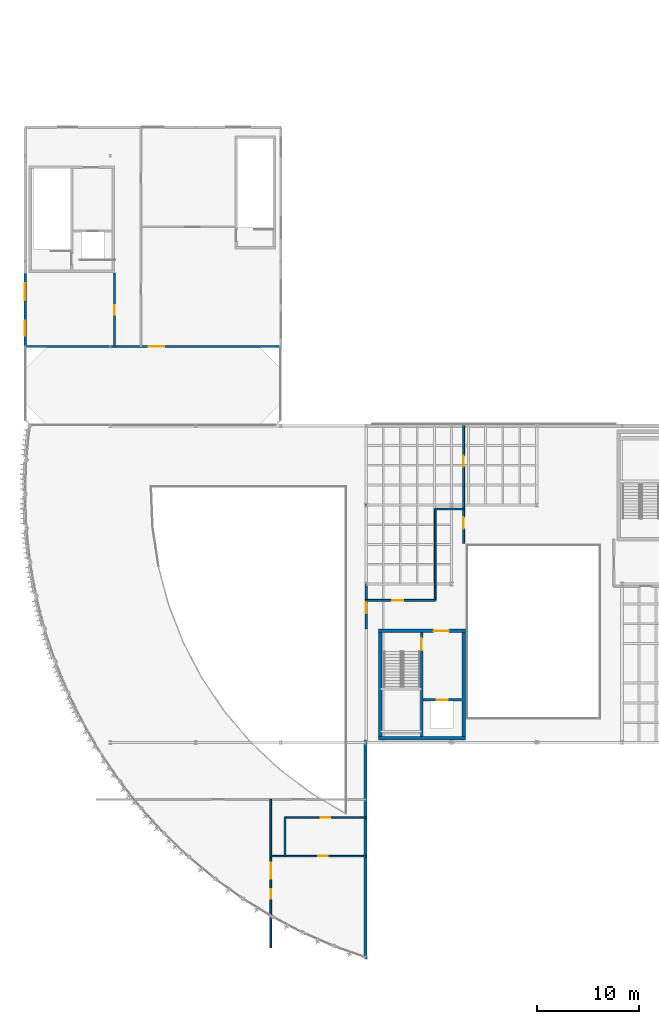
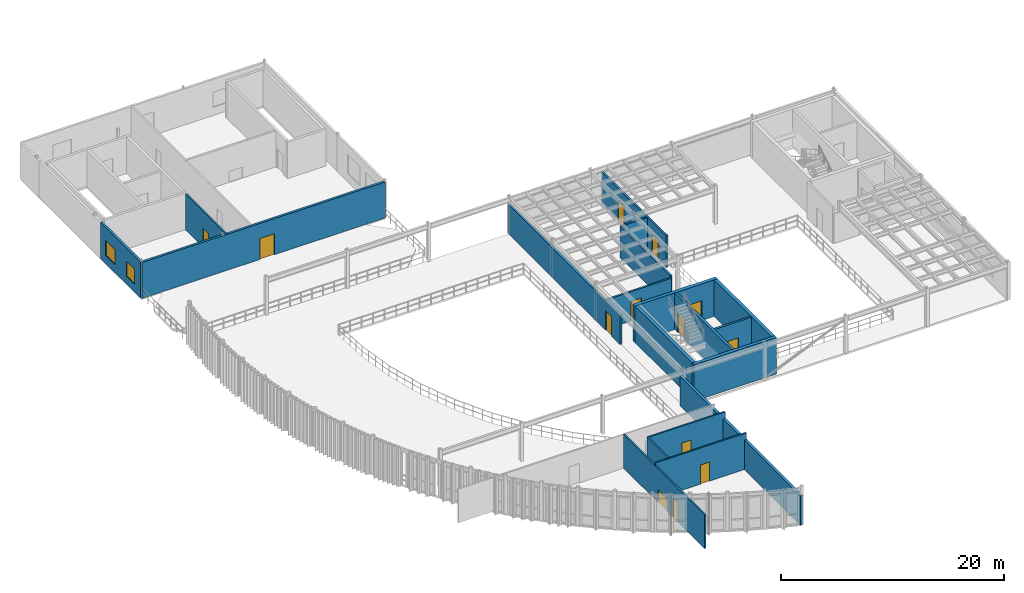
# One storey, part 21 of 32: 19 walls, 13 doors, 2 windows, 15 openings.
"""IFC4 building model written with IfcOpenShell, lengths in metres."""

from ifc_helpers import new_model, si_unit, direction, frame, frame_2d, origin, place, context, subcontext, project, spatial, rectangle, extrude, material, layer, layer_set, type_object, element, fill, save


model = new_model("IFC4")

# Units and contexts
model_context = context("Model", 3, precision=1e-05, world=origin(), true_north=direction((0.0, 1.0)))
body_context = subcontext(model_context, "Body", "Model", "MODEL_VIEW")
ifc_project = project(units=[si_unit("LENGTHUNIT", "METRE"), si_unit("AREAUNIT", "SQUARE_METRE"), si_unit("VOLUMEUNIT", "CUBIC_METRE"), si_unit("PLANEANGLEUNIT", "RADIAN"), si_unit("MASSUNIT", "GRAM", prefix="KILO")], contexts=[model_context])

# Site, building, storey
site_placement = place(None, origin())
site = spatial("IfcSite", under=ifc_project, at=site_placement, CompositionType="ELEMENT")
building_placement = place(site_placement, origin())
building = spatial("IfcBuilding", under=site, at=building_placement, Name="Selat Folded Stagehouse", CompositionType="ELEMENT")
storey_placement = place(building_placement, frame((0.0, 0.0, 19.199951171875)))
storey = spatial("IfcBuildingStorey", under=building, at=storey_placement, Name="L04", CompositionType="ELEMENT", Elevation=19.199951171875)

# Wall, opening, door
ifc_material_1 = material(Name="Concrete C40/50", Category="concrete")
ifc_layer_1 = layer(ifc_material_1, 0.179931640625)
ifc_layer_set_1 = layer_set([ifc_layer_1], Name="Concrete C40/50")
wall_type_1 = type_object("IfcWallType", Name="WAL-COMP-180", PredefinedType="STANDARD", material=ifc_layer_set_1)
wall_1_placement = place(storey_placement, frame((33.60009765625, 37.39990234375, 0.0), z_axis=(0.0, 0.0, 1.0), x_axis=(1.0, 0.0, 0.0)))
wall_1 = element("IfcWall", 1, at=wall_1_placement, inside=storey, type_object=wall_type_1, Name="L04 interior partition wall 112", PredefinedType="STANDARD", context=body_context, shape_type="SweptSolid", body=[
    extrude(rectangle(XDim=6.7998046875, YDim=0.179931640625, at=frame_2d((3.39990234375, 0.0))), origin(), (0.0, 0.0, 1.0), 3.22216796875),
])
opening_1_placement = place(wall_1_placement, frame((2.56494140625, 0.0, 0.0)))
opening_1 = element("IfcOpeningElement", 2, at=opening_1_placement, cuts=wall_1, Name="Opening FD-60", PredefinedType="OPENING", context=body_context, shape_type="SweptSolid", body=[
    extrude(rectangle(XDim=1.10009765625, YDim=2.14990234375, at=frame_2d((0.550048828125, 1.074951171875))), frame((0.0, 0.099853515625, 0.0), z_axis=(0.0, -1.0, 0.0), x_axis=(1.0, 0.0, 0.0)), (0.0, 0.0, 1.0), 0.199951171875),
])
ifc_material_2 = material(Name="Fire-rated timber core door", Category="wood")
door_type_1 = type_object("IfcDoorType", Name="DOR-FIRE-60", OperationType="NOTDEFINED", PredefinedType="DOOR", material=ifc_material_2)
door_1_placement = place(opening_1_placement, origin())
door_1 = element("IfcDoor", 3, at=door_1_placement, inside=storey, type_object=door_type_1, Name="L04 interior door IWAL-L04-112-1", OperationType="SINGLE_SWING_LEFT", OverallHeight=2.14990234375, OverallWidth=1.10009765625, PredefinedType="DOOR", context=body_context, shape_type="SweptSolid", body=[
    extrude(rectangle(XDim=1.10009765625, YDim=2.14990234375, at=frame_2d((0.550048828125, 1.074951171875))), frame((0.0, 0.02490234375, 0.0), z_axis=(0.0, -1.0, 0.0), x_axis=(1.0, 0.0, 0.0)), (0.0, 0.0, 1.0), 0.050048828125),
])
fill(opening_1, door_1)

# Walls
wall_2_placement = place(storey_placement, frame((40.39990234375, 37.39990234375, 0.0), z_axis=(0.0, 0.0, 1.0), x_axis=(0.0, 1.0, 0.0)))
element("IfcWall", 4, at=wall_2_placement, inside=storey, type_object=wall_type_1, Name="L04 interior partition wall 113", PredefinedType="STANDARD", context=body_context, shape_type="SweptSolid", body=[
    extrude(rectangle(XDim=9.0, YDim=0.179931640625, at=frame_2d((4.5, 0.0))), origin(), (0.0, 0.0, 1.0), 3.458984375),
])
wall_3_placement = place(storey_placement, frame((40.39990234375, 46.39990234375, 0.0), z_axis=(0.0, 0.0, 1.0), x_axis=(1.0, 0.0, 0.0)))
element("IfcWall", 5, at=wall_3_placement, inside=storey, type_object=wall_type_1, Name="L04 interior partition wall 114", PredefinedType="STANDARD", context=body_context, shape_type="SweptSolid", body=[
    extrude(rectangle(XDim=2.800048828125, YDim=0.179931640625, at=frame_2d((1.39990234375, 0.0))), origin(), (0.0, 0.0, 1.0), 3.45263671875),
])

# Wall, openings, doors
wall_4_placement = place(storey_placement, frame((43.199951171875, 43.0, 0.0), z_axis=(0.0, 0.0, 1.0), x_axis=(0.0, 1.0, 0.0)))
wall_4 = element("IfcWall", 6, at=wall_4_placement, inside=storey, type_object=wall_type_1, Name="L04 interior partition wall 115", PredefinedType="STANDARD", context=body_context, shape_type="SweptSolid", body=[
    extrude(rectangle(XDim=11.60009765625, YDim=0.179931640625, at=frame_2d((5.800048828125, 0.0))), origin(), (0.0, 0.0, 1.0), 3.458984375),
])
opening_2_placement = place(wall_4_placement, frame((1.469970703125, 0.0, 0.0)))
opening_2 = element("IfcOpeningElement", 7, at=opening_2_placement, cuts=wall_4, Name="Opening FD-60", PredefinedType="OPENING", context=body_context, shape_type="SweptSolid", body=[
    extrude(rectangle(XDim=1.10009765625, YDim=2.14990234375, at=frame_2d((0.550048828125, 1.074951171875))), frame((0.0, 0.099853515625, 0.0), z_axis=(0.0, -1.0, 0.0), x_axis=(1.0, 0.0, 0.0)), (0.0, 0.0, 1.0), 0.199951171875),
])
opening_3_placement = place(wall_4_placement, frame((7.56005859375, 0.0, 0.0)))
opening_3 = element("IfcOpeningElement", 8, at=opening_3_placement, cuts=wall_4, Name="Opening FD-60", PredefinedType="OPENING", context=body_context, shape_type="SweptSolid", body=[
    extrude(rectangle(XDim=1.10009765625, YDim=2.14990234375, at=frame_2d((0.550048828125, 1.074951171875))), frame((0.0, 0.099853515625, 0.0), z_axis=(0.0, -1.0, 0.0), x_axis=(1.0, 0.0, 0.0)), (0.0, 0.0, 1.0), 0.199951171875),
])
door_2_placement = place(opening_2_placement, origin())
door_2 = element("IfcDoor", 9, at=door_2_placement, inside=storey, type_object=door_type_1, Name="L04 interior door IWAL-L04-115-1", OperationType="SINGLE_SWING_RIGHT", OverallHeight=2.14990234375, OverallWidth=1.10009765625, PredefinedType="DOOR", context=body_context, shape_type="SweptSolid", body=[
    extrude(rectangle(XDim=1.10009765625, YDim=2.14990234375, at=frame_2d((0.550048828125, 1.074951171875))), frame((0.0, 0.02490234375, 0.0), z_axis=(0.0, -1.0, 0.0), x_axis=(1.0, 0.0, 0.0)), (0.0, 0.0, 1.0), 0.050048828125),
])
fill(opening_2, door_2)
door_3_placement = place(opening_3_placement, origin())
door_3 = element("IfcDoor", 10, at=door_3_placement, inside=storey, type_object=door_type_1, Name="L04 interior door IWAL-L04-115-2", OperationType="SINGLE_SWING_LEFT", OverallHeight=2.14990234375, OverallWidth=1.10009765625, PredefinedType="DOOR", context=body_context, shape_type="SweptSolid", body=[
    extrude(rectangle(XDim=1.10009765625, YDim=2.14990234375, at=frame_2d((0.550048828125, 1.074951171875))), frame((0.0, 0.02490234375, 0.0), z_axis=(0.0, -1.0, 0.0), x_axis=(1.0, 0.0, 0.0)), (0.0, 0.0, 1.0), 0.050048828125),
])
fill(opening_3, door_3)

# Wall, opening, door
ifc_layer_2 = layer(ifc_material_1, 0.215087890625)
ifc_layer_set_2 = layer_set([ifc_layer_2], Name="Concrete C40/50")
wall_type_2 = type_object("IfcWallType", Name="WAL-COMP-215", PredefinedType="STANDARD", material=ifc_layer_set_2)
wall_5_placement = place(storey_placement, frame((39.2099609375, 27.60009765625, 0.0), z_axis=(0.0, 0.0, 1.0), x_axis=(1.0, 0.0, 0.0)))
wall_5 = element("IfcWall", 11, at=wall_5_placement, inside=storey, type_object=wall_type_2, Name="L04 FL-01 lift shaft front wall", PredefinedType="STANDARD", context=body_context, shape_type="SweptSolid", body=[
    extrude(rectangle(XDim=3.794921875, YDim=0.215087890625, at=frame_2d((1.8974609375, 0.0))), origin(), (0.0, 0.0, 1.0), 3.991943359375),
])
opening_4_placement = place(wall_5_placement, frame((1.347412109375, 0.0, 0.0)))
opening_4 = element("IfcOpeningElement", 12, at=opening_4_placement, cuts=wall_5, Name="Opening LD-01", PredefinedType="OPENING", context=body_context, shape_type="SweptSolid", body=[
    extrude(rectangle(XDim=1.10009765625, YDim=2.199951171875, at=frame_2d((0.550048828125, 1.10009765625))), frame((0.0, 0.117431640625, 0.0), z_axis=(0.0, -1.0, 0.0), x_axis=(1.0, 0.0, 0.0)), (0.0, 0.0, 1.0), 0.235107421875),
])
ifc_material_3 = material(Name="Firefighting lift stainless sliding landing door", Category="wood")
door_type_2 = type_object("IfcDoorType", Name="DOR-LFT-1100", OperationType="NOTDEFINED", PredefinedType="DOOR", material=ifc_material_3)
door_4_placement = place(opening_4_placement, origin())
door_4 = element("IfcDoor", 13, at=door_4_placement, inside=storey, type_object=door_type_2, Name="L04 FL-01 lift sliding landing door", OperationType="SLIDING_TO_LEFT", OverallHeight=2.199951171875, OverallWidth=1.10009765625, PredefinedType="DOOR", context=body_context, shape_type="SweptSolid", body=[
    extrude(rectangle(XDim=1.10009765625, YDim=2.199951171875, at=frame_2d((0.550048828125, 1.10009765625))), frame((0.0, 0.02490234375, 0.0), z_axis=(0.0, -1.0, 0.0), x_axis=(1.0, 0.0, 0.0)), (0.0, 0.0, 1.0), 0.050048828125),
])
fill(opening_4, door_4)

wall_6_placement = place(storey_placement, frame((33.60009765625, 34.60009765625, 0.0), z_axis=(0.0, 0.0, 1.0), x_axis=(0.0, 1.0, 0.0)))
wall_6 = element("IfcWall", 14, at=wall_6_placement, inside=storey, type_object=wall_type_2, Name="L04 interior partition wall 111", PredefinedType="STANDARD", context=body_context, shape_type="SweptSolid", body=[
    extrude(rectangle(XDim=20.0, YDim=0.215087890625, at=frame_2d((10.0, 0.0))), origin(), (0.0, 0.0, 1.0), 3.22216796875),
])
opening_5_placement = place(wall_6_placement, frame((1.511962890625, 0.0, 0.0)))
opening_5 = element("IfcOpeningElement", 15, at=opening_5_placement, cuts=wall_6, Name="Opening FD-60", PredefinedType="OPENING", context=body_context, shape_type="SweptSolid", body=[
    extrude(rectangle(XDim=1.10009765625, YDim=2.14990234375, at=frame_2d((0.550048828125, 1.074951171875))), frame((0.0, 0.117431640625, 0.0), z_axis=(0.0, -1.0, 0.0), x_axis=(1.0, 0.0, 0.0)), (0.0, 0.0, 1.0), 0.235107421875),
])
door_5_placement = place(opening_5_placement, origin())
door_5 = element("IfcDoor", 16, at=door_5_placement, inside=storey, type_object=door_type_1, Name="L04 interior door IWAL-L04-111-1", OperationType="SINGLE_SWING_RIGHT", OverallHeight=2.14990234375, OverallWidth=1.10009765625, PredefinedType="DOOR", context=body_context, shape_type="SweptSolid", body=[
    extrude(rectangle(XDim=1.10009765625, YDim=2.14990234375, at=frame_2d((0.550048828125, 1.074951171875))), frame((0.0, 0.02490234375, 0.0), z_axis=(0.0, -1.0, 0.0), x_axis=(1.0, 0.0, 0.0)), (0.0, 0.0, 1.0), 0.050048828125),
])
fill(opening_5, door_5)

ifc_material_4 = material(Name="Concrete C50/60", Category="concrete")
ifc_layer_3 = layer(ifc_material_4, 0.25)
ifc_layer_set_3 = layer_set([ifc_layer_3], Name="Concrete C50/60")
wall_type_3 = type_object("IfcWallType", Name="WAL-CORE-250", PredefinedType="SHEAR", material=ifc_layer_set_3)
wall_7_placement = place(storey_placement, frame((39.050048828125, 34.22509765625, 0.0), z_axis=(0.0, 0.0, 1.0), x_axis=(0.0, -1.0, 0.0)))
wall_7 = element("IfcWall", 17, at=wall_7_placement, inside=storey, type_object=wall_type_3, Name="L04 CR-1 internal core divider wall", PredefinedType="SHEAR", context=body_context, shape_type="SweptSolid", body=[
    extrude(rectangle(XDim=10.25, YDim=0.25, at=frame_2d((5.125, 0.0))), origin(), (0.0, 0.0, 1.0), 4.0),
])
opening_6_placement = place(wall_7_placement, frame((0.550048828125, 0.0, 0.0)))
opening_6 = element("IfcOpeningElement", 18, at=opening_6_placement, cuts=wall_7, Name="Opening FD-120", PredefinedType="OPENING", context=body_context, shape_type="SweptSolid", body=[
    extrude(rectangle(XDim=1.199951171875, YDim=2.14990234375, at=frame_2d((0.60009765625, 1.074951171875))), frame((0.0, 0.135009765625, 0.0), z_axis=(0.0, -1.0, 0.0), x_axis=(1.0, 0.0, 0.0)), (0.0, 0.0, 1.0), 0.27001953125),
])
ifc_material_5 = material(Name="Fire-rated steel acoustic door", Category="steel")
door_type_3 = type_object("IfcDoorType", Name="DOR-FIRE-120", OperationType="NOTDEFINED", PredefinedType="DOOR", material=ifc_material_5)
door_6_placement = place(opening_6_placement, origin())
door_6 = element("IfcDoor", 19, at=door_6_placement, inside=storey, type_object=door_type_3, Name="L04 CR-1 protected stair fire door", OperationType="SINGLE_SWING_LEFT", OverallHeight=2.14990234375, OverallWidth=1.199951171875, PredefinedType="DOOR", context=body_context, shape_type="SweptSolid", body=[
    extrude(rectangle(XDim=1.199951171875, YDim=2.14990234375, at=frame_2d((0.60009765625, 1.074951171875))), frame((0.0, 0.02490234375, 0.0), z_axis=(0.0, -1.0, 0.0), x_axis=(1.0, 0.0, 0.0)), (0.0, 0.0, 1.0), 0.050048828125),
])
fill(opening_6, door_6)

ifc_material_6 = material(Name="Precast concrete C40/50", Category="concrete")
ifc_layer_4 = layer(ifc_material_6, 0.22998046875)
ifc_layer_set_4 = layer_set([ifc_layer_4], Name="Precast concrete C40/50")
wall_type_4 = type_object("IfcWallType", Name="WAL-EXT-230", PredefinedType="STANDARD", material=ifc_layer_set_4)
wall_8_placement = place(storey_placement, frame((25.199951171875, 62.39990234375, 0.0), z_axis=(0.0, 0.0, 1.0), x_axis=(-1.0, 0.0, 0.0)))
wall_8 = element("IfcWall", 20, at=wall_8_placement, inside=storey, type_object=wall_type_4, Name="L04 exterior facade wall EW-L04-V4S", PredefinedType="STANDARD", context=body_context, shape_type="SweptSolid", body=[
    extrude(rectangle(XDim=25.199951171875, YDim=0.22998046875, at=frame_2d((12.60009765625, 0.0))), origin(), (0.0, 0.0, 1.0), 3.9521484375),
])
opening_7_placement = place(wall_8_placement, frame((11.5, 0.0, 0.0)))
opening_7 = element("IfcOpeningElement", 21, at=opening_7_placement, cuts=wall_8, Name="Opening ED-06", PredefinedType="OPENING", context=body_context, shape_type="SweptSolid", body=[
    extrude(rectangle(XDim=1.5, YDim=2.300048828125, at=frame_2d((0.75, 1.14990234375))), frame((0.0, 0.125, 0.0), z_axis=(0.0, -1.0, 0.0), x_axis=(1.0, 0.0, 0.0)), (0.0, 0.0, 1.0), 0.25),
])
ifc_material_7 = material(Name="Powder-coated steel and laminated safety glass", Category="steel")
door_type_4 = type_object("IfcDoorType", Name="DOR-EXT-1500x2300", OperationType="NOTDEFINED", PredefinedType="DOOR", material=ifc_material_7)
door_7_placement = place(opening_7_placement, origin())
door_7 = element("IfcDoor", 22, at=door_7_placement, inside=storey, type_object=door_type_4, Name="L04 exterior door EW-L04-V4S-1", OperationType="SINGLE_SWING_LEFT", OverallHeight=2.300048828125, OverallWidth=1.5, PredefinedType="DOOR", context=body_context, shape_type="SweptSolid", body=[
    extrude(rectangle(XDim=1.5, YDim=2.300048828125, at=frame_2d((0.75, 1.14990234375))), frame((0.0, 0.02490234375, 0.0), z_axis=(0.0, -1.0, 0.0), x_axis=(1.0, 0.0, 0.0)), (0.0, 0.0, 1.0), 0.050048828125),
])
fill(opening_7, door_7)

# Wall, openings, windows
wall_9_placement = place(storey_placement, frame((0.0, 62.39990234375, 0.0), z_axis=(0.0, 0.0, 1.0), x_axis=(0.0, 1.0, 0.0)))
wall_9 = element("IfcWall", 23, at=wall_9_placement, inside=storey, type_object=wall_type_4, Name="L04 exterior facade wall EW-L04-V4W-1", PredefinedType="STANDARD", context=body_context, shape_type="SweptSolid", body=[
    extrude(rectangle(XDim=7.2001953125, YDim=0.22998046875, at=frame_2d((3.60009765625, 0.0))), origin(), (0.0, 0.0, 1.0), 3.9521484375),
])
opening_8_placement = place(wall_9_placement, frame((1.074951171875, 0.0, 0.89990234375)))
opening_8 = element("IfcOpeningElement", 24, at=opening_8_placement, cuts=wall_9, Name="Opening WN-37", PredefinedType="OPENING", context=body_context, shape_type="SweptSolid", body=[
    extrude(rectangle(XDim=1.449951171875, YDim=1.64990234375, at=frame_2d((0.72509765625, 0.824951171875))), frame((0.0, 0.125, 0.0), z_axis=(0.0, -1.0, 0.0), x_axis=(1.0, 0.0, 0.0)), (0.0, 0.0, 1.0), 0.25),
])
opening_9_placement = place(wall_9_placement, frame((4.574951171875, 0.0, 0.89990234375)))
opening_9 = element("IfcOpeningElement", 25, at=opening_9_placement, cuts=wall_9, Name="Opening WN-36", PredefinedType="OPENING", context=body_context, shape_type="SweptSolid", body=[
    extrude(rectangle(XDim=1.64990234375, YDim=1.64990234375, at=frame_2d((0.824951171875, 0.824951171875))), frame((0.0, 0.125, 0.0), z_axis=(0.0, -1.0, 0.0), x_axis=(1.0, 0.0, 0.0)), (0.0, 0.0, 1.0), 0.25),
])
ifc_material_8 = material(Name="Thermally broken aluminium and acoustic low-E glass", Category="aluminium")
window_type_1 = type_object("IfcWindowType", Name="WIN-OF-1450x1650", PartitioningType="SINGLE_PANEL", PredefinedType="WINDOW", material=ifc_material_8)
window_1_placement = place(opening_8_placement, origin())
window_1 = element("IfcWindow", 26, at=window_1_placement, inside=storey, type_object=window_type_1, Name="L04 exterior window EW-L04-V4W-1-1", OverallHeight=1.64990234375, OverallWidth=1.449951171875, PartitioningType="SINGLE_PANEL", PredefinedType="WINDOW", context=body_context, shape_type="SweptSolid", body=[
    extrude(rectangle(XDim=1.449951171875, YDim=1.64990234375, at=frame_2d((0.72509765625, 0.824951171875))), frame((0.0, 0.030029296875, 0.0), z_axis=(0.0, -1.0, 0.0), x_axis=(1.0, 0.0, 0.0)), (0.0, 0.0, 1.0), 0.06005859375),
])
fill(opening_8, window_1)
window_type_2 = type_object("IfcWindowType", Name="WIN-OF-1650x1650", PartitioningType="SINGLE_PANEL", PredefinedType="WINDOW", material=ifc_material_8)
window_2_placement = place(opening_9_placement, origin())
window_2 = element("IfcWindow", 27, at=window_2_placement, inside=storey, type_object=window_type_2, Name="L04 exterior window EW-L04-V4W-1-2", OverallHeight=1.64990234375, OverallWidth=1.64990234375, PartitioningType="SINGLE_PANEL", PredefinedType="WINDOW", context=body_context, shape_type="SweptSolid", body=[
    extrude(rectangle(XDim=1.64990234375, YDim=1.64990234375, at=frame_2d((0.824951171875, 0.824951171875))), frame((0.0, 0.030029296875, 0.0), z_axis=(0.0, -1.0, 0.0), x_axis=(1.0, 0.0, 0.0)), (0.0, 0.0, 1.0), 0.06005859375),
])
fill(opening_9, window_2)

# Wall
ifc_layer_5 = layer(ifc_material_6, 0.27490234375)
ifc_layer_set_5 = layer_set([ifc_layer_5], Name="Precast concrete C40/50")
wall_type_5 = type_object("IfcWallType", Name="WAL-EXT-275", PredefinedType="STANDARD", material=ifc_layer_set_5)
wall_10_placement = place(storey_placement, frame((33.52001953125, 2.050048828125, 0.0), z_axis=(0.0, 0.0, 1.0), x_axis=(0.0, 1.0, 0.0)))
element("IfcWall", 28, at=wall_10_placement, inside=storey, type_object=wall_type_5, Name="L04 exterior facade wall EW-L04-V1E-ALL", PredefinedType="STANDARD", context=body_context, shape_type="SweptSolid", body=[
    extrude(rectangle(XDim=21.599853515625, YDim=0.27490234375, at=frame_2d((10.7998046875, 0.0))), origin(), (0.0, 0.0, 1.0), 3.22216796875),
])

# Wall, openings, doors
ifc_material_9 = material(Name="Moisture-resistant sanitary service wall", Category="gypsum")
ifc_layer_6 = layer(ifc_material_9, 0.159912109375)
ifc_layer_set_6 = layer_set([ifc_layer_6], Name="Moisture-resistant sanitary service wall")
wall_type_6 = type_object("IfcWallType", Name="WAL-PLMB-160", PredefinedType="PLUMBINGWALL", material=ifc_layer_set_6)
wall_11_placement = place(storey_placement, frame((24.199951171875, 3.199951171875, 0.0), z_axis=(0.0, 0.0, 1.0), x_axis=(0.0, 1.0, 0.0)))
wall_11 = element("IfcWall", 29, at=wall_11_placement, inside=storey, type_object=wall_type_6, Name="L04 interior partition wall 106", PredefinedType="PLUMBINGWALL", context=body_context, shape_type="SweptSolid", body=[
    extrude(rectangle(XDim=14.60009765625, YDim=0.159912109375, at=frame_2d((7.300048828125, 0.0))), origin(), (0.0, 0.0, 1.0), 3.692138671875),
])
opening_10_placement = place(wall_11_placement, frame((4.781005859375, 0.0, 0.0)))
opening_10 = element("IfcOpeningElement", 30, at=opening_10_placement, cuts=wall_11, Name="Opening ID-03", PredefinedType="OPENING", context=body_context, shape_type="SweptSolid", body=[
    extrude(rectangle(XDim=0.93994140625, YDim=2.10009765625, at=frame_2d((0.469970703125, 1.050048828125))), frame((0.0, 0.08984375, 0.0), z_axis=(0.0, -1.0, 0.0), x_axis=(1.0, 0.0, 0.0)), (0.0, 0.0, 1.0), 0.179931640625),
])
opening_11_placement = place(wall_11_placement, frame((6.760009765625, 0.0, 0.0)))
opening_11 = element("IfcOpeningElement", 31, at=opening_11_placement, cuts=wall_11, Name="Opening TD-01", PredefinedType="OPENING", context=body_context, shape_type="SweptSolid", body=[
    extrude(rectangle(XDim=1.60009765625, YDim=1.39990234375, at=frame_2d((0.800048828125, 0.699951171875))), frame((0.0, 0.08984375, 0.0), z_axis=(0.0, -1.0, 0.0), x_axis=(1.0, 0.0, 0.0)), (0.0, 0.0, 1.0), 0.179931640625),
])
ifc_material_10 = material(Name="Backstage room single door", Category="wood")
door_type_5 = type_object("IfcDoorType", Name="DOR-GEN-0940", OperationType="NOTDEFINED", PredefinedType="DOOR", material=ifc_material_10)
door_8_placement = place(opening_10_placement, origin())
door_8 = element("IfcDoor", 32, at=door_8_placement, inside=storey, type_object=door_type_5, Name="L04 interior door IWAL-L04-106-1", OperationType="SINGLE_SWING_LEFT", OverallHeight=2.10009765625, OverallWidth=0.93994140625, PredefinedType="DOOR", context=body_context, shape_type="SweptSolid", body=[
    extrude(rectangle(XDim=0.93994140625, YDim=2.10009765625, at=frame_2d((0.469970703125, 1.050048828125))), frame((0.0, 0.02490234375, 0.0), z_axis=(0.0, -1.0, 0.0), x_axis=(1.0, 0.0, 0.0)), (0.0, 0.0, 1.0), 0.050048828125),
])
fill(opening_10, door_8)
ifc_material_11 = material(Name="Galvanised acoustic steel", Category="steel")
door_type_6 = type_object("IfcDoorType", Name="TRP-SMK-1600x1400", OperationType="NOTDEFINED", PredefinedType="TRAPDOOR", material=ifc_material_11)
door_9_placement = place(opening_11_placement, origin())
door_9 = element("IfcDoor", 33, at=door_9_placement, inside=storey, type_object=door_type_6, Name="L04 interior door IWAL-L04-106-2", OperationType="SWING_FIXED_LEFT", OverallHeight=1.39990234375, OverallWidth=1.60009765625, PredefinedType="TRAPDOOR", context=body_context, shape_type="SweptSolid", body=[
    extrude(rectangle(XDim=1.60009765625, YDim=1.39990234375, at=frame_2d((0.800048828125, 0.699951171875))), frame((0.0, 0.02490234375, 0.0), z_axis=(0.0, -1.0, 0.0), x_axis=(1.0, 0.0, 0.0)), (0.0, 0.0, 1.0), 0.050048828125),
])
fill(opening_11, door_9)

# Wall, opening, door
wall_12_placement = place(storey_placement, frame((24.199951171875, 12.199951171875, 0.0), z_axis=(0.0, 0.0, 1.0), x_axis=(1.0, 0.0, 0.0)))
wall_12 = element("IfcWall", 34, at=wall_12_placement, inside=storey, type_object=wall_type_6, Name="L04 interior partition wall 107", PredefinedType="PLUMBINGWALL", context=body_context, shape_type="SweptSolid", body=[
    extrude(rectangle(XDim=9.400146484375, YDim=0.159912109375, at=frame_2d((4.7001953125, 0.0))), origin(), (0.0, 0.0, 1.0), 3.9521484375),
])
opening_12_placement = place(wall_12_placement, frame((4.653076171875, 0.0, 0.0)))
opening_12 = element("IfcOpeningElement", 35, at=opening_12_placement, cuts=wall_12, Name="Opening ID-03", PredefinedType="OPENING", context=body_context, shape_type="SweptSolid", body=[
    extrude(rectangle(XDim=0.93994140625, YDim=2.10009765625, at=frame_2d((0.469970703125, 1.050048828125))), frame((0.0, 0.08984375, 0.0), z_axis=(0.0, -1.0, 0.0), x_axis=(1.0, 0.0, 0.0)), (0.0, 0.0, 1.0), 0.179931640625),
])
door_10_placement = place(opening_12_placement, origin())
door_10 = element("IfcDoor", 36, at=door_10_placement, inside=storey, type_object=door_type_5, Name="L04 interior door IWAL-L04-107-1", OperationType="SINGLE_SWING_RIGHT", OverallHeight=2.10009765625, OverallWidth=0.93994140625, PredefinedType="DOOR", context=body_context, shape_type="SweptSolid", body=[
    extrude(rectangle(XDim=0.93994140625, YDim=2.10009765625, at=frame_2d((0.469970703125, 1.050048828125))), frame((0.0, 0.02490234375, 0.0), z_axis=(0.0, -1.0, 0.0), x_axis=(1.0, 0.0, 0.0)), (0.0, 0.0, 1.0), 0.050048828125),
])
fill(opening_12, door_10)

wall_13_placement = place(storey_placement, frame((25.60009765625, 16.0, 0.0), z_axis=(0.0, 0.0, 1.0), x_axis=(1.0, 0.0, 0.0)))
wall_13 = element("IfcWall", 37, at=wall_13_placement, inside=storey, type_object=wall_type_6, Name="L04 interior partition wall 108", PredefinedType="PLUMBINGWALL", context=body_context, shape_type="SweptSolid", body=[
    extrude(rectangle(XDim=8.0, YDim=0.159912109375, at=frame_2d((4.0, 0.0))), origin(), (0.0, 0.0, 1.0), 3.9521484375),
])
opening_13_placement = place(wall_13_placement, frame((3.52490234375, 0.0, 0.0)))
opening_13 = element("IfcOpeningElement", 38, at=opening_13_placement, cuts=wall_13, Name="Opening ID-04", PredefinedType="OPENING", context=body_context, shape_type="SweptSolid", body=[
    extrude(rectangle(XDim=0.949951171875, YDim=2.10009765625, at=frame_2d((0.47509765625, 1.050048828125))), frame((0.0, 0.08984375, 0.0), z_axis=(0.0, -1.0, 0.0), x_axis=(1.0, 0.0, 0.0)), (0.0, 0.0, 1.0), 0.179931640625),
])
ifc_material_12 = material(Name="Accessible toilet outward-opening door", Category="wood")
door_type_7 = type_object("IfcDoorType", Name="DOR-WC-0950", OperationType="NOTDEFINED", PredefinedType="DOOR", material=ifc_material_12)
door_11_placement = place(opening_13_placement, origin())
door_11 = element("IfcDoor", 39, at=door_11_placement, inside=storey, type_object=door_type_7, Name="L04 interior door IWAL-L04-108-1", OperationType="SINGLE_SWING_LEFT", OverallHeight=2.10009765625, OverallWidth=0.949951171875, PredefinedType="DOOR", context=body_context, shape_type="SweptSolid", body=[
    extrude(rectangle(XDim=0.949951171875, YDim=2.10009765625, at=frame_2d((0.47509765625, 1.050048828125))), frame((0.0, 0.02490234375, 0.0), z_axis=(0.0, -1.0, 0.0), x_axis=(1.0, 0.0, 0.0)), (0.0, 0.0, 1.0), 0.050048828125),
])
fill(opening_13, door_11)

# Wall
wall_14_placement = place(storey_placement, frame((25.60009765625, 12.199951171875, 0.0), z_axis=(0.0, 0.0, 1.0), x_axis=(0.0, 1.0, 0.0)))
element("IfcWall", 40, at=wall_14_placement, inside=storey, type_object=wall_type_6, Name="L04 interior partition wall 109", PredefinedType="PLUMBINGWALL", context=body_context, shape_type="SweptSolid", body=[
    extrude(rectangle(XDim=3.800048828125, YDim=0.159912109375, at=frame_2d((1.89990234375, 0.0))), origin(), (0.0, 0.0, 1.0), 3.9521484375),
])

# Wall, opening, door
wall_15_placement = place(storey_placement, frame((8.800048828125, 62.39990234375, 0.0), z_axis=(0.0, 0.0, 1.0), x_axis=(0.0, 1.0, 0.0)))
wall_15 = element("IfcWall", 41, at=wall_15_placement, inside=storey, type_object=wall_type_6, Name="L04 interior partition wall 118", PredefinedType="PLUMBINGWALL", context=body_context, shape_type="SweptSolid", body=[
    extrude(rectangle(XDim=7.2001953125, YDim=0.159912109375, at=frame_2d((3.60009765625, 0.0))), origin(), (0.0, 0.0, 1.0), 3.9521484375),
])
opening_14_placement = place(wall_15_placement, frame((3.1298828125, 0.0, 0.0)))
opening_14 = element("IfcOpeningElement", 42, at=opening_14_placement, cuts=wall_15, Name="Opening ID-03", PredefinedType="OPENING", context=body_context, shape_type="SweptSolid", body=[
    extrude(rectangle(XDim=0.93994140625, YDim=2.10009765625, at=frame_2d((0.469970703125, 1.050048828125))), frame((0.0, 0.08984375, 0.0), z_axis=(0.0, -1.0, 0.0), x_axis=(1.0, 0.0, 0.0)), (0.0, 0.0, 1.0), 0.179931640625),
])
door_12_placement = place(opening_14_placement, origin())
door_12 = element("IfcDoor", 43, at=door_12_placement, inside=storey, type_object=door_type_5, Name="L04 interior door IWAL-L04-118-1", OperationType="SINGLE_SWING_RIGHT", OverallHeight=2.10009765625, OverallWidth=0.93994140625, PredefinedType="DOOR", context=body_context, shape_type="SweptSolid", body=[
    extrude(rectangle(XDim=0.93994140625, YDim=2.10009765625, at=frame_2d((0.469970703125, 1.050048828125))), frame((0.0, 0.02490234375, 0.0), z_axis=(0.0, -1.0, 0.0), x_axis=(1.0, 0.0, 0.0)), (0.0, 0.0, 1.0), 0.050048828125),
])
fill(opening_14, door_12)

# Wall
ifc_layer_7 = layer(ifc_material_4, 0.35009765625)
ifc_layer_set_7 = layer_set([ifc_layer_7], Name="Concrete C50/60")
wall_type_7 = type_object("IfcWallType", Name="WAL-SW-350", PredefinedType="SHEAR", material=ifc_layer_set_7)
wall_16_placement = place(storey_placement, frame((43.375, 23.800048828125, 0.0), z_axis=(0.0, 0.0, 1.0), x_axis=(-1.0, 0.0, 0.0)))
element("IfcWall", 44, at=wall_16_placement, inside=storey, type_object=wall_type_7, Name="L04 CR-1 south shear wall", PredefinedType="SHEAR", context=body_context, shape_type="SweptSolid", body=[
    extrude(rectangle(XDim=8.550048828125, YDim=0.35009765625, at=frame_2d((4.27490234375, 0.0))), origin(), (0.0, 0.0, 1.0), 4.0),
])

# Wall, opening, door
wall_17_placement = place(storey_placement, frame((34.824951171875, 34.39990234375, 0.0), z_axis=(0.0, 0.0, 1.0), x_axis=(1.0, 0.0, 0.0)))
wall_17 = element("IfcWall", 45, at=wall_17_placement, inside=storey, type_object=wall_type_7, Name="L04 CR-1 north shear wall", PredefinedType="SHEAR", context=body_context, shape_type="SweptSolid", body=[
    extrude(rectangle(XDim=8.550048828125, YDim=0.35009765625, at=frame_2d((4.27490234375, 0.0))), origin(), (0.0, 0.0, 1.0), 4.0),
])
opening_15_placement = place(wall_17_placement, frame((5.425048828125, 0.0, 0.0)))
opening_15 = element("IfcOpeningElement", 46, at=opening_15_placement, cuts=wall_17, Name="Opening FD-120B", PredefinedType="OPENING", context=body_context, shape_type="SweptSolid", body=[
    extrude(rectangle(XDim=1.5, YDim=2.14990234375, at=frame_2d((0.75, 1.074951171875))), frame((0.0, 0.18505859375, 0.0), z_axis=(0.0, -1.0, 0.0), x_axis=(1.0, 0.0, 0.0)), (0.0, 0.0, 1.0), 0.3701171875),
])
ifc_material_13 = material(Name="Firefighting lobby double-leaf fire door", Category="wood")
door_type_8 = type_object("IfcDoorType", Name="DOR-FFL-1500", OperationType="NOTDEFINED", PredefinedType="DOOR", material=ifc_material_13)
door_13_placement = place(opening_15_placement, origin())
door_13 = element("IfcDoor", 47, at=door_13_placement, inside=storey, type_object=door_type_8, Name="L04 CR-1 core lobby fire door", OperationType="SINGLE_SWING_RIGHT", OverallHeight=2.14990234375, OverallWidth=1.5, PredefinedType="DOOR", context=body_context, shape_type="SweptSolid", body=[
    extrude(rectangle(XDim=1.5, YDim=2.14990234375, at=frame_2d((0.75, 1.074951171875))), frame((0.0, 0.02490234375, 0.0), z_axis=(0.0, -1.0, 0.0), x_axis=(1.0, 0.0, 0.0)), (0.0, 0.0, 1.0), 0.050048828125),
])
fill(opening_15, door_13)

# Walls
for number, where, z_axis, x_axis, name in (
    (48, (35.0, 23.97509765625, 0.0), (0.0, 0.0, 1.0), (0.0, 1.0, 0.0), "L04 CR-1 west shear wall"),
    (49, (43.199951171875, 34.22509765625, 0.0), (0.0, 0.0, 1.0), (0.0, -1.0, 0.0), "L04 CR-1 east shear wall"),
):
    element("IfcWall", number, at=place(storey_placement, frame(where, z_axis=z_axis, x_axis=x_axis)), inside=storey, type_object=wall_type_7, Name=name, PredefinedType="SHEAR", context=body_context, shape_type="SweptSolid", body=[
        extrude(rectangle(XDim=10.25, YDim=0.35009765625, at=frame_2d((5.125, 0.0))), origin(), (0.0, 0.0, 1.0), 4.0),
    ])

save(model, "model.ifc")
